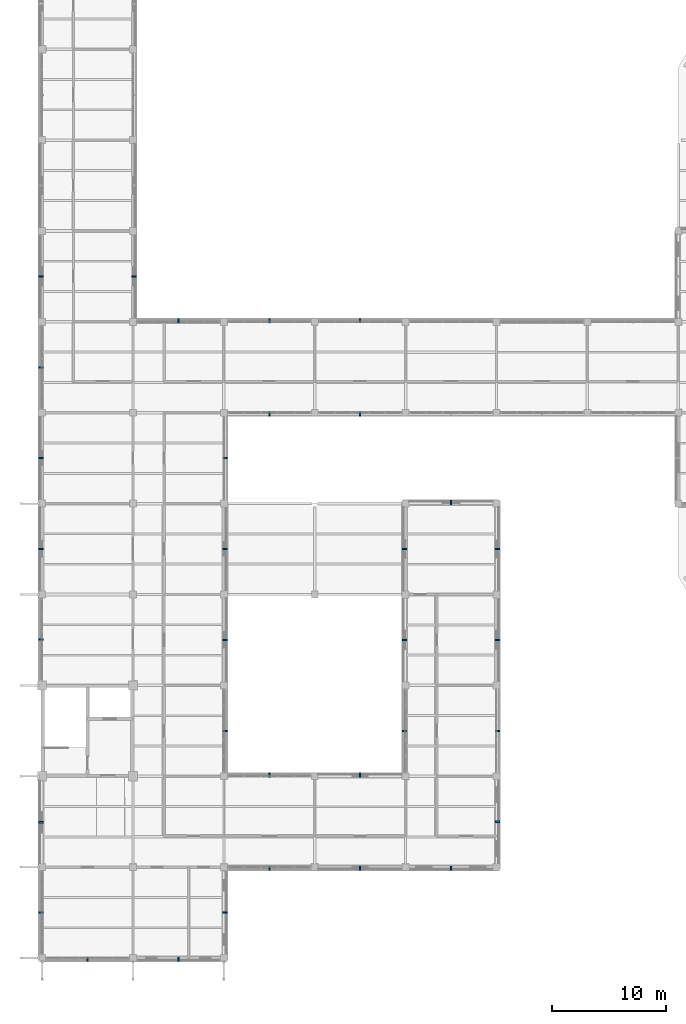
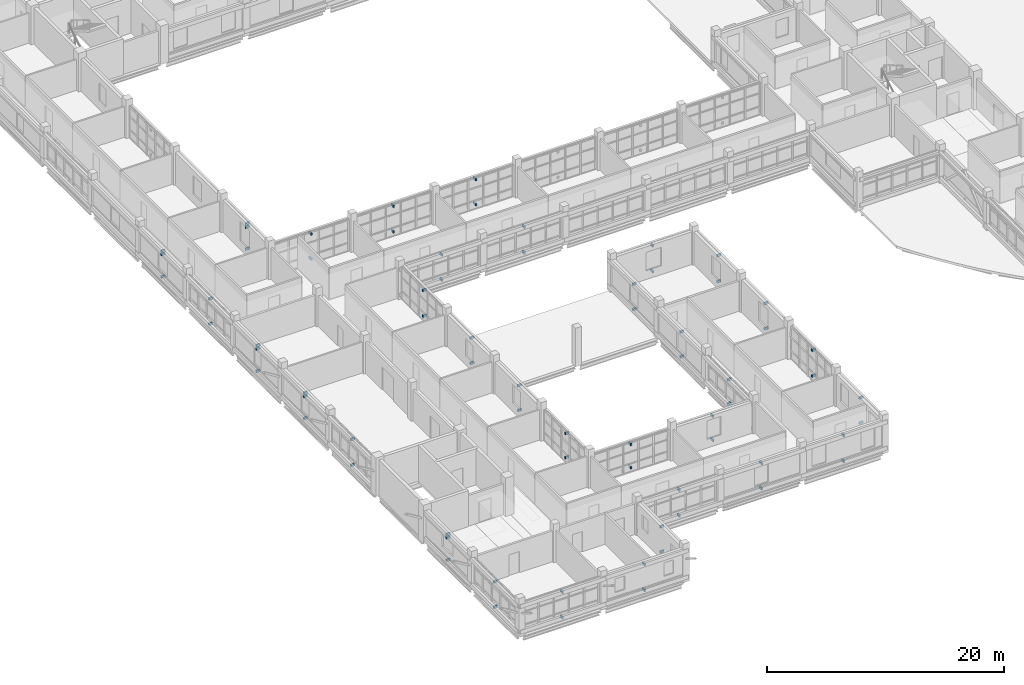
# One storey, part 106 of 126: 71 discrete accessories.
"""IFC4 building model written with IfcOpenShell, lengths in metres."""

from ifc_helpers import new_model, si_unit, derived_unit, direction, frame, origin, origin_2d, place, context, subcontext, project, spatial, rectangle, extrude, material, type_object, element, save


model = new_model("IFC4")

# Units and contexts
model_context = context("Model", 3, precision=1e-05, world=origin(), true_north=direction((0.0, 1.0)))
body_context = subcontext(model_context, "Body", "Model", "MODEL_VIEW")
ifc_project = project(units=[si_unit("LENGTHUNIT", "METRE"), si_unit("AREAUNIT", "SQUARE_METRE"), si_unit("VOLUMEUNIT", "CUBIC_METRE"), si_unit("PLANEANGLEUNIT", "RADIAN"), si_unit("MASSUNIT", "GRAM", prefix="KILO"), derived_unit("THERMALTRANSMITTANCEUNIT", [(si_unit("MASSUNIT", "GRAM", prefix="KILO"), 1), (si_unit("TIMEUNIT", "SECOND"), -3), (si_unit("THERMODYNAMICTEMPERATUREUNIT", "KELVIN"), -1)])], contexts=[model_context])

# Site, building, storey
site_placement = place(None, origin())
site = spatial("IfcSite", under=ifc_project, at=site_placement, CompositionType="ELEMENT")
building_placement = place(site_placement, origin())
building = spatial("IfcBuilding", under=site, at=building_placement, Name="Veyamyaing Civic Hall", CompositionType="ELEMENT")
storey_placement = place(building_placement, frame((0.0, 0.0, 9.89990234375)))
storey = spatial("IfcBuildingStorey", under=building, at=storey_placement, Name="L02", CompositionType="ELEMENT", Elevation=9.89990234375)

# Discrete accessories
ifc_material = material(Name="Steel S355J2", Category="steel")
discrete_accessory_type = type_object("IfcDiscreteAccessoryType", Name="BK-01", PredefinedType="BRACKET", material=ifc_material)
for number, where, z_axis, x_axis, name in (
    (1, (4.0, -0.10009765625, 2.958984375), (0.0, 0.0, 1.0), (0.0, -1.0, 0.0), "Sunshade anchor bracket BK-01 L02 S 1.1"),
    (2, (4.0, -0.10009765625, 0.35986328125), (0.0, 0.0, 1.0), (0.0, -1.0, 0.0), "Lower ribbon anchor bracket BK-01 L02 S 1.1"),
    (3, (-0.10009765625, 4.0, 2.958984375), (0.0, 0.0, 1.0), (-1.0, 0.0, 0.0), "Sunshade anchor bracket BK-01 L02 W 1.1"),
    (4, (-0.10009765625, 4.0, 0.35986328125), (0.0, 0.0, 1.0), (-1.0, 0.0, 0.0), "Lower ribbon anchor bracket BK-01 L02 W 1.1"),
    (5, (-0.10009765625, 11.949951171875, 3.02197265625), (0.0, 0.0, 1.0), (-1.0, 0.0, 0.0), "Sunshade anchor bracket BK-01 L02 W 1.2"),
    (6, (-0.10009765625, 11.949951171875, 0.35986328125), (0.0, 0.0, 1.0), (-1.0, 0.0, 0.0), "Lower ribbon anchor bracket BK-01 L02 W 1.2"),
    (7, (-0.10009765625, 11.949951171875, 2.69189453125), (0.0, 0.0, 1.0), (-1.0, 0.0, 0.0), "Louvre anchor bracket BK-01 L02 W 1.2"),
    (8, (-0.10009765625, 28.050048828125, 3.01904296875), (0.0, 0.0, 1.0), (-1.0, 0.0, 0.0), "Sunshade anchor bracket BK-01 L02 W 1.4"),
    (9, (-0.10009765625, 28.050048828125, 0.35986328125), (0.0, 0.0, 1.0), (-1.0, 0.0, 0.0), "Lower ribbon anchor bracket BK-01 L02 W 1.4"),
    (10, (-0.10009765625, 36.0, 2.958984375), (0.0, 0.0, 1.0), (-1.0, 0.0, 0.0), "Sunshade anchor bracket BK-01 L02 W 1.5"),
    (11, (-0.10009765625, 36.0, 0.35986328125), (0.0, 0.0, 1.0), (-1.0, 0.0, 0.0), "Lower ribbon anchor bracket BK-01 L02 W 1.5"),
    (12, (-0.10009765625, 36.0, 2.62890625), (0.0, 0.0, 1.0), (-1.0, 0.0, 0.0), "Louvre anchor bracket BK-01 L02 W 1.5"),
    (13, (-0.10009765625, 44.0, 3.00732421875), (0.0, 0.0, 1.0), (-1.0, 0.0, 0.0), "Sunshade anchor bracket BK-01 L02 W 1.6"),
    (14, (-0.10009765625, 44.0, 0.35986328125), (0.0, 0.0, 1.0), (-1.0, 0.0, 0.0), "Lower ribbon anchor bracket BK-01 L02 W 1.6"),
    (15, (-0.10009765625, 44.0, 2.67724609375), (0.0, 0.0, 1.0), (-1.0, 0.0, 0.0), "Louvre anchor bracket BK-01 L02 W 1.6"),
    (16, (-0.10009765625, 52.0, 2.93994140625), (0.0, 0.0, 1.0), (-1.0, 0.0, 0.0), "Sunshade anchor bracket BK-01 L02 W 1.7"),
    (17, (-0.10009765625, 52.0, 0.35986328125), (0.0, 0.0, 1.0), (-1.0, 0.0, 0.0), "Lower ribbon anchor bracket BK-01 L02 W 1.7"),
    (18, (-0.10009765625, 60.0, 3.00390625), (0.0, 0.0, 1.0), (-1.0, 0.0, 0.0), "Sunshade anchor bracket BK-01 L02 W 1.8"),
    (19, (-0.10009765625, 60.0, 0.35986328125), (0.0, 0.0, 1.0), (-1.0, 0.0, 0.0), "Lower ribbon anchor bracket BK-01 L02 W 1.8"),
    (20, (-0.10009765625, 60.0, 2.67431640625), (0.0, 0.0, 1.0), (-1.0, 0.0, 0.0), "Louvre anchor bracket BK-01 L02 W 1.8"),
    (21, (8.10009765625, 60.0, 2.9443359375), (0.0, 0.0, 1.0), (1.0, 0.0, 0.0), "Sunshade anchor bracket BK-01 L02 E 1.8"),
    (22, (8.10009765625, 60.0, 0.35986328125), (0.0, 0.0, 1.0), (1.0, 0.0, 0.0), "Lower ribbon anchor bracket BK-01 L02 E 1.8"),
    (23, (8.10009765625, 60.0, 2.6142578125), (0.0, 0.0, 1.0), (1.0, 0.0, 0.0), "Louvre anchor bracket BK-01 L02 E 1.8"),
    (24, (12.0, -0.10009765625, 3.02197265625), (0.0, 0.0, 1.0), (0.0, -1.0, 0.0), "Sunshade anchor bracket BK-01 L02 S 2.1"),
    (25, (12.0, -0.10009765625, 0.35986328125), (0.0, 0.0, 1.0), (0.0, -1.0, 0.0), "Lower ribbon anchor bracket BK-01 L02 S 2.1"),
    (26, (16.10009765625, 4.0, 2.955078125), (0.0, 0.0, 1.0), (1.0, 0.0, 0.0), "Sunshade anchor bracket BK-01 L02 E 2.1"),
    (27, (16.10009765625, 4.0, 0.35986328125), (0.0, 0.0, 1.0), (1.0, 0.0, 0.0), "Lower ribbon anchor bracket BK-01 L02 E 2.1"),
    (28, (16.10009765625, 20.0, 2.8388671875), (0.0, 0.0, 1.0), (1.0, 0.0, 0.0), "Sunshade anchor bracket BK-01 L02 E 2.3"),
    (29, (16.10009765625, 20.0, 0.35986328125), (0.0, 0.0, 1.0), (1.0, 0.0, 0.0), "Lower ribbon anchor bracket BK-01 L02 E 2.3"),
    (30, (16.10009765625, 28.0, 2.9091796875), (0.0, 0.0, 1.0), (1.0, 0.0, 0.0), "Sunshade anchor bracket BK-01 L02 E 2.4"),
    (31, (16.10009765625, 28.0, 0.35986328125), (0.0, 0.0, 1.0), (1.0, 0.0, 0.0), "Lower ribbon anchor bracket BK-01 L02 E 2.4"),
    (32, (16.10009765625, 36.0, 2.955078125), (0.0, 0.0, 1.0), (1.0, 0.0, 0.0), "Sunshade anchor bracket BK-01 L02 E 2.5"),
    (33, (16.10009765625, 36.0, 0.35986328125), (0.0, 0.0, 1.0), (1.0, 0.0, 0.0), "Lower ribbon anchor bracket BK-01 L02 E 2.5"),
    (34, (16.10009765625, 44.0, 3.00390625), (0.0, 0.0, 1.0), (1.0, 0.0, 0.0), "Sunshade anchor bracket BK-01 L02 E 2.6"),
    (35, (16.10009765625, 44.0, 0.35986328125), (0.0, 0.0, 1.0), (1.0, 0.0, 0.0), "Lower ribbon anchor bracket BK-01 L02 E 2.6"),
    (36, (12.0, 56.10009765625, 2.9443359375), (0.0, 0.0, 1.0), (0.0, 1.0, 0.0), "Sunshade anchor bracket BK-01 L02 N 2.7"),
    (37, (12.0, 56.10009765625, 0.35986328125), (0.0, 0.0, 1.0), (0.0, 1.0, 0.0), "Lower ribbon anchor bracket BK-01 L02 N 2.7"),
    (38, (20.0, 7.89990234375, 3.01904296875), (0.0, 0.0, 1.0), (0.0, -1.0, 0.0), "Sunshade anchor bracket BK-01 L02 S 3.2"),
    (39, (20.0, 7.89990234375, 0.35986328125), (0.0, 0.0, 1.0), (0.0, -1.0, 0.0), "Lower ribbon anchor bracket BK-01 L02 S 3.2"),
    (40, (20.0, 16.10009765625, 2.76416015625), (0.0, 0.0, 1.0), (0.0, 1.0, 0.0), "Sunshade anchor bracket BK-01 L02 N 3.2"),
    (41, (20.0, 16.10009765625, 0.35986328125), (0.0, 0.0, 1.0), (0.0, 1.0, 0.0), "Lower ribbon anchor bracket BK-01 L02 N 3.2"),
    (42, (20.0, 47.89990234375, 2.9443359375), (0.0, 0.0, 1.0), (0.0, -1.0, 0.0), "Sunshade anchor bracket BK-01 L02 S 3.7"),
    (43, (20.0, 47.89990234375, 0.35986328125), (0.0, 0.0, 1.0), (0.0, -1.0, 0.0), "Lower ribbon anchor bracket BK-01 L02 S 3.7"),
    (44, (20.0, 56.10009765625, 3.00732421875), (0.0, 0.0, 1.0), (0.0, 1.0, 0.0), "Sunshade anchor bracket BK-01 L02 N 3.7"),
    (45, (20.0, 56.10009765625, 0.35986328125), (0.0, 0.0, 1.0), (0.0, 1.0, 0.0), "Lower ribbon anchor bracket BK-01 L02 N 3.7"),
    (46, (28.0, 7.89990234375, 2.958984375), (0.0, 0.0, 1.0), (0.0, -1.0, 0.0), "Sunshade anchor bracket BK-01 L02 S 4.2"),
    (47, (28.0, 7.89990234375, 0.35986328125), (0.0, 0.0, 1.0), (0.0, -1.0, 0.0), "Lower ribbon anchor bracket BK-01 L02 S 4.2"),
    (48, (28.0, 16.10009765625, 2.8388671875), (0.0, 0.0, 1.0), (0.0, 1.0, 0.0), "Sunshade anchor bracket BK-01 L02 N 4.2"),
    (49, (28.0, 16.10009765625, 0.35986328125), (0.0, 0.0, 1.0), (0.0, 1.0, 0.0), "Lower ribbon anchor bracket BK-01 L02 N 4.2"),
    (50, (28.0, 47.89990234375, 3.00732421875), (0.0, 0.0, 1.0), (0.0, -1.0, 0.0), "Sunshade anchor bracket BK-01 L02 S 4.7"),
    (51, (28.0, 47.89990234375, 0.35986328125), (0.0, 0.0, 1.0), (0.0, -1.0, 0.0), "Lower ribbon anchor bracket BK-01 L02 S 4.7"),
    (52, (28.0, 56.10009765625, 2.93994140625), (0.0, 0.0, 1.0), (0.0, 1.0, 0.0), "Sunshade anchor bracket BK-01 L02 N 4.7"),
    (53, (28.0, 56.10009765625, 0.35986328125), (0.0, 0.0, 1.0), (0.0, 1.0, 0.0), "Lower ribbon anchor bracket BK-01 L02 N 4.7"),
    (54, (36.0, 7.89990234375, 3.02197265625), (0.0, 0.0, 1.0), (0.0, -1.0, 0.0), "Sunshade anchor bracket BK-01 L02 S 5.2"),
    (55, (36.0, 7.89990234375, 0.35986328125), (0.0, 0.0, 1.0), (0.0, -1.0, 0.0), "Lower ribbon anchor bracket BK-01 L02 S 5.2"),
    (56, (40.10009765625, 12.0, 2.955078125), (0.0, 0.0, 1.0), (1.0, 0.0, 0.0), "Sunshade anchor bracket BK-01 L02 E 5.2"),
    (57, (40.10009765625, 12.0, 0.35986328125), (0.0, 0.0, 1.0), (1.0, 0.0, 0.0), "Lower ribbon anchor bracket BK-01 L02 E 5.2"),
    (58, (31.89990234375, 20.0, 2.8330078125), (0.0, 0.0, 1.0), (-1.0, 0.0, 0.0), "Sunshade anchor bracket BK-01 L02 W 5.3"),
    (59, (31.89990234375, 20.0, 0.35986328125), (0.0, 0.0, 1.0), (-1.0, 0.0, 0.0), "Lower ribbon anchor bracket BK-01 L02 W 5.3"),
    (60, (40.10009765625, 20.0, 3.01904296875), (0.0, 0.0, 1.0), (1.0, 0.0, 0.0), "Sunshade anchor bracket BK-01 L02 E 5.3"),
    (61, (40.10009765625, 20.0, 0.35986328125), (0.0, 0.0, 1.0), (1.0, 0.0, 0.0), "Lower ribbon anchor bracket BK-01 L02 E 5.3"),
    (62, (31.89990234375, 28.0, 2.9033203125), (0.0, 0.0, 1.0), (-1.0, 0.0, 0.0), "Sunshade anchor bracket BK-01 L02 W 5.4"),
    (63, (31.89990234375, 28.0, 0.35986328125), (0.0, 0.0, 1.0), (-1.0, 0.0, 0.0), "Lower ribbon anchor bracket BK-01 L02 W 5.4"),
    (64, (40.10009765625, 28.0, 2.958984375), (0.0, 0.0, 1.0), (1.0, 0.0, 0.0), "Sunshade anchor bracket BK-01 L02 E 5.4"),
    (65, (40.10009765625, 28.0, 0.35986328125), (0.0, 0.0, 1.0), (1.0, 0.0, 0.0), "Lower ribbon anchor bracket BK-01 L02 E 5.4"),
    (66, (36.0, 40.10009765625, 3.02197265625), (0.0, 0.0, 1.0), (0.0, 1.0, 0.0), "Sunshade anchor bracket BK-01 L02 N 5.5"),
    (67, (36.0, 40.10009765625, 0.35986328125), (0.0, 0.0, 1.0), (0.0, 1.0, 0.0), "Lower ribbon anchor bracket BK-01 L02 N 5.5"),
    (68, (31.89990234375, 36.0, 2.958984375), (0.0, 0.0, 1.0), (-1.0, 0.0, 0.0), "Sunshade anchor bracket BK-01 L02 W 5.5"),
    (69, (31.89990234375, 36.0, 0.35986328125), (0.0, 0.0, 1.0), (-1.0, 0.0, 0.0), "Lower ribbon anchor bracket BK-01 L02 W 5.5"),
    (70, (40.10009765625, 36.0, 3.02197265625), (0.0, 0.0, 1.0), (1.0, 0.0, 0.0), "Sunshade anchor bracket BK-01 L02 E 5.5"),
    (71, (40.10009765625, 36.0, 0.35986328125), (0.0, 0.0, 1.0), (1.0, 0.0, 0.0), "Lower ribbon anchor bracket BK-01 L02 E 5.5"),
):
    element("IfcDiscreteAccessory", number, at=place(storey_placement, frame(where, z_axis=z_axis, x_axis=x_axis)), inside=storey, type_object=discrete_accessory_type, Name=name, PredefinedType="BRACKET", context=body_context, shape_type="SweptSolid", body=[
        extrude(rectangle(XDim=0.3798828125, YDim=0.139892578125, at=origin_2d()), origin(), (0.0, 0.0, 1.0), 0.239990234375),
    ])

save(model, "model.ifc")
